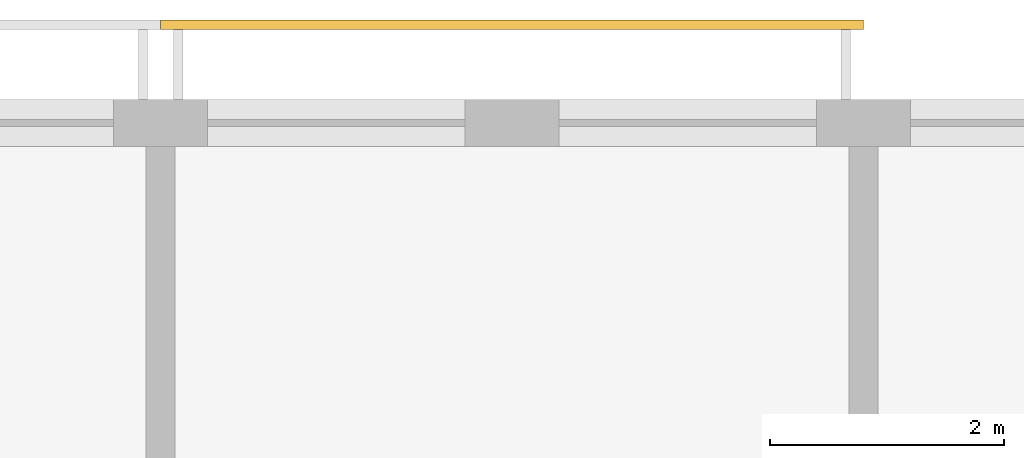
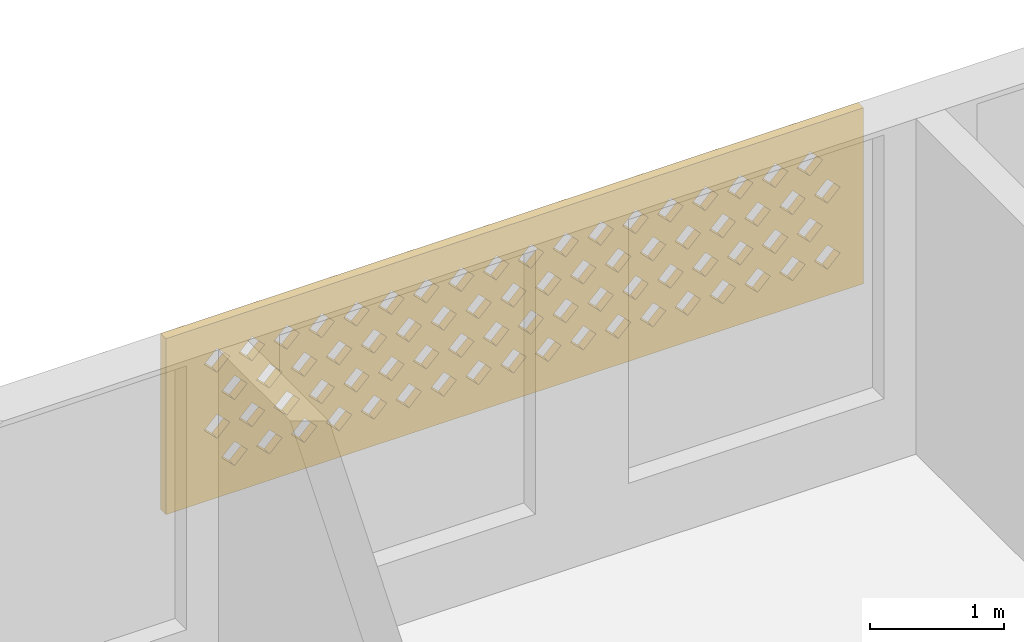
# One storey, part 18 of 18: 1 covering.
"""IFC4 building model written with IfcOpenShell, lengths in metres."""

from ifc_helpers import new_model, si_unit, direction, frame, origin, place, context, subcontext, project, spatial, polyline, outline, extrude, source, transform, mapped, material, material_profile, profile_set, type_object, element, save


model = new_model("IFC4")

# Units and contexts
model_context = context("Model", 3, precision=1e-05, world=origin(), true_north=direction((0.0, 1.0)))
body_context = subcontext(model_context, "Body", "Model", "MODEL_VIEW")
ifc_project = project(units=[si_unit("LENGTHUNIT", "METRE"), si_unit("AREAUNIT", "SQUARE_METRE"), si_unit("VOLUMEUNIT", "CUBIC_METRE"), si_unit("PLANEANGLEUNIT", "RADIAN"), si_unit("MASSUNIT", "GRAM", prefix="KILO")], contexts=[model_context])

# Site, building, storey
site_placement = place(None, origin())
site = spatial("IfcSite", under=ifc_project, at=site_placement, CompositionType="ELEMENT")
building_placement = place(site_placement, origin())
building = spatial("IfcBuilding", under=site, at=building_placement, Name="Poui Terraces", CompositionType="ELEMENT")
storey_placement = place(building_placement, frame((0.0, 0.0, 285.60009765625)))
storey = spatial("IfcBuildingStorey", under=building, at=storey_placement, Name="L79 CROWN", CompositionType="ELEMENT", Elevation=285.60009765625)

# Covering
ifc_material = material(Name="Terracotta screen", Category="masonry")
ifc_material_profile = material_profile(ifc_material, outline(polyline([(-3.0, -0.800048828125), (3.0, -0.800048828125), (3.0, 0.800048828125), (-3.0, 0.800048828125), (-3.0, -0.800048828125)]), holes=[polyline([(-2.800048828125, -0.449951171875), (-2.68994140625, -0.56005859375), (-2.580078125, -0.449951171875), (-2.68994140625, -0.340087890625), (-2.800048828125, -0.449951171875)]), polyline([(-2.5, -0.449951171875), (-2.389892578125, -0.56005859375), (-2.280029296875, -0.449951171875), (-2.389892578125, -0.340087890625), (-2.5, -0.449951171875)]), polyline([(-2.199951171875, -0.449951171875), (-2.090087890625, -0.56005859375), (-1.97998046875, -0.449951171875), (-2.090087890625, -0.340087890625), (-2.199951171875, -0.449951171875)]), polyline([(-1.89990234375, -0.449951171875), (-1.7900390625, -0.56005859375), (-1.679931640625, -0.449951171875), (-1.7900390625, -0.340087890625), (-1.89990234375, -0.449951171875)]), polyline([(-1.60009765625, -0.449951171875), (-1.489990234375, -0.56005859375), (-1.3798828125, -0.449951171875), (-1.489990234375, -0.340087890625), (-1.60009765625, -0.449951171875)]), polyline([(-1.300048828125, -0.449951171875), (-1.18994140625, -0.56005859375), (-1.080078125, -0.449951171875), (-1.18994140625, -0.340087890625), (-1.300048828125, -0.449951171875)]), polyline([(-1.0, -0.449951171875), (-0.889892578125, -0.56005859375), (-0.780029296875, -0.449951171875), (-0.889892578125, -0.340087890625), (-1.0, -0.449951171875)]), polyline([(-0.699951171875, -0.449951171875), (-0.590087890625, -0.56005859375), (-0.47998046875, -0.449951171875), (-0.590087890625, -0.340087890625), (-0.699951171875, -0.449951171875)]), polyline([(-0.39990234375, -0.449951171875), (-0.2900390625, -0.56005859375), (-0.179931640625, -0.449951171875), (-0.2900390625, -0.340087890625), (-0.39990234375, -0.449951171875)]), polyline([(-0.10009765625, -0.449951171875), (0.010009765625, -0.56005859375), (0.1201171875, -0.449951171875), (0.010009765625, -0.340087890625), (-0.10009765625, -0.449951171875)]), polyline([(0.199951171875, -0.449951171875), (0.31005859375, -0.56005859375), (0.419921875, -0.449951171875), (0.31005859375, -0.340087890625), (0.199951171875, -0.449951171875)]), polyline([(0.5, -0.449951171875), (0.610107421875, -0.56005859375), (0.719970703125, -0.449951171875), (0.610107421875, -0.340087890625), (0.5, -0.449951171875)]), polyline([(0.800048828125, -0.449951171875), (0.909912109375, -0.56005859375), (1.02001953125, -0.449951171875), (0.909912109375, -0.340087890625), (0.800048828125, -0.449951171875)]), polyline([(1.10009765625, -0.449951171875), (1.2099609375, -0.56005859375), (1.320068359375, -0.449951171875), (1.2099609375, -0.340087890625), (1.10009765625, -0.449951171875)]), polyline([(1.39990234375, -0.449951171875), (1.510009765625, -0.56005859375), (1.6201171875, -0.449951171875), (1.510009765625, -0.340087890625), (1.39990234375, -0.449951171875)]), polyline([(1.699951171875, -0.449951171875), (1.81005859375, -0.56005859375), (1.919921875, -0.449951171875), (1.81005859375, -0.340087890625), (1.699951171875, -0.449951171875)]), polyline([(2.0, -0.449951171875), (2.110107421875, -0.56005859375), (2.219970703125, -0.449951171875), (2.110107421875, -0.340087890625), (2.0, -0.449951171875)]), polyline([(2.300048828125, -0.449951171875), (2.409912109375, -0.56005859375), (2.52001953125, -0.449951171875), (2.409912109375, -0.340087890625), (2.300048828125, -0.449951171875)]), polyline([(-2.64990234375, -0.14990234375), (-2.5400390625, -0.260009765625), (-2.429931640625, -0.14990234375), (-2.5400390625, -0.0400390625), (-2.64990234375, -0.14990234375)]), polyline([(-2.35009765625, -0.14990234375), (-2.239990234375, -0.260009765625), (-2.1298828125, -0.14990234375), (-2.239990234375, -0.0400390625), (-2.35009765625, -0.14990234375)]), polyline([(-2.050048828125, -0.14990234375), (-1.93994140625, -0.260009765625), (-1.830078125, -0.14990234375), (-1.93994140625, -0.0400390625), (-2.050048828125, -0.14990234375)]), polyline([(-1.75, -0.14990234375), (-1.639892578125, -0.260009765625), (-1.530029296875, -0.14990234375), (-1.639892578125, -0.0400390625), (-1.75, -0.14990234375)]), polyline([(-1.449951171875, -0.14990234375), (-1.340087890625, -0.260009765625), (-1.22998046875, -0.14990234375), (-1.340087890625, -0.0400390625), (-1.449951171875, -0.14990234375)]), polyline([(-1.14990234375, -0.14990234375), (-1.0400390625, -0.260009765625), (-0.929931640625, -0.14990234375), (-1.0400390625, -0.0400390625), (-1.14990234375, -0.14990234375)]), polyline([(-0.85009765625, -0.14990234375), (-0.739990234375, -0.260009765625), (-0.6298828125, -0.14990234375), (-0.739990234375, -0.0400390625), (-0.85009765625, -0.14990234375)]), polyline([(-0.550048828125, -0.14990234375), (-0.43994140625, -0.260009765625), (-0.330078125, -0.14990234375), (-0.43994140625, -0.0400390625), (-0.550048828125, -0.14990234375)]), polyline([(-0.25, -0.14990234375), (-0.139892578125, -0.260009765625), (-0.030029296875, -0.14990234375), (-0.139892578125, -0.0400390625), (-0.25, -0.14990234375)]), polyline([(0.050048828125, -0.14990234375), (0.159912109375, -0.260009765625), (0.27001953125, -0.14990234375), (0.159912109375, -0.0400390625), (0.050048828125, -0.14990234375)]), polyline([(0.35009765625, -0.14990234375), (0.4599609375, -0.260009765625), (0.570068359375, -0.14990234375), (0.4599609375, -0.0400390625), (0.35009765625, -0.14990234375)]), polyline([(0.64990234375, -0.14990234375), (0.760009765625, -0.260009765625), (0.8701171875, -0.14990234375), (0.760009765625, -0.0400390625), (0.64990234375, -0.14990234375)]), polyline([(0.949951171875, -0.14990234375), (1.06005859375, -0.260009765625), (1.169921875, -0.14990234375), (1.06005859375, -0.0400390625), (0.949951171875, -0.14990234375)]), polyline([(1.25, -0.14990234375), (1.360107421875, -0.260009765625), (1.469970703125, -0.14990234375), (1.360107421875, -0.0400390625), (1.25, -0.14990234375)]), polyline([(1.550048828125, -0.14990234375), (1.659912109375, -0.260009765625), (1.77001953125, -0.14990234375), (1.659912109375, -0.0400390625), (1.550048828125, -0.14990234375)]), polyline([(1.85009765625, -0.14990234375), (1.9599609375, -0.260009765625), (2.070068359375, -0.14990234375), (1.9599609375, -0.0400390625), (1.85009765625, -0.14990234375)]), polyline([(2.14990234375, -0.14990234375), (2.260009765625, -0.260009765625), (2.3701171875, -0.14990234375), (2.260009765625, -0.0400390625), (2.14990234375, -0.14990234375)]), polyline([(2.449951171875, -0.14990234375), (2.56005859375, -0.260009765625), (2.669921875, -0.14990234375), (2.56005859375, -0.0400390625), (2.449951171875, -0.14990234375)]), polyline([(-2.800048828125, 0.14990234375), (-2.68994140625, 0.0400390625), (-2.580078125, 0.14990234375), (-2.68994140625, 0.260009765625), (-2.800048828125, 0.14990234375)]), polyline([(-2.5, 0.14990234375), (-2.389892578125, 0.0400390625), (-2.280029296875, 0.14990234375), (-2.389892578125, 0.260009765625), (-2.5, 0.14990234375)]), polyline([(-2.199951171875, 0.14990234375), (-2.090087890625, 0.0400390625), (-1.97998046875, 0.14990234375), (-2.090087890625, 0.260009765625), (-2.199951171875, 0.14990234375)]), polyline([(-1.89990234375, 0.14990234375), (-1.7900390625, 0.0400390625), (-1.679931640625, 0.14990234375), (-1.7900390625, 0.260009765625), (-1.89990234375, 0.14990234375)]), polyline([(-1.60009765625, 0.14990234375), (-1.489990234375, 0.0400390625), (-1.3798828125, 0.14990234375), (-1.489990234375, 0.260009765625), (-1.60009765625, 0.14990234375)]), polyline([(-1.300048828125, 0.14990234375), (-1.18994140625, 0.0400390625), (-1.080078125, 0.14990234375), (-1.18994140625, 0.260009765625), (-1.300048828125, 0.14990234375)]), polyline([(-1.0, 0.14990234375), (-0.889892578125, 0.0400390625), (-0.780029296875, 0.14990234375), (-0.889892578125, 0.260009765625), (-1.0, 0.14990234375)]), polyline([(-0.699951171875, 0.14990234375), (-0.590087890625, 0.0400390625), (-0.47998046875, 0.14990234375), (-0.590087890625, 0.260009765625), (-0.699951171875, 0.14990234375)]), polyline([(-0.39990234375, 0.14990234375), (-0.2900390625, 0.0400390625), (-0.179931640625, 0.14990234375), (-0.2900390625, 0.260009765625), (-0.39990234375, 0.14990234375)]), polyline([(-0.10009765625, 0.14990234375), (0.010009765625, 0.0400390625), (0.1201171875, 0.14990234375), (0.010009765625, 0.260009765625), (-0.10009765625, 0.14990234375)]), polyline([(0.199951171875, 0.14990234375), (0.31005859375, 0.0400390625), (0.419921875, 0.14990234375), (0.31005859375, 0.260009765625), (0.199951171875, 0.14990234375)]), polyline([(0.5, 0.14990234375), (0.610107421875, 0.0400390625), (0.719970703125, 0.14990234375), (0.610107421875, 0.260009765625), (0.5, 0.14990234375)]), polyline([(0.800048828125, 0.14990234375), (0.909912109375, 0.0400390625), (1.02001953125, 0.14990234375), (0.909912109375, 0.260009765625), (0.800048828125, 0.14990234375)]), polyline([(1.10009765625, 0.14990234375), (1.2099609375, 0.0400390625), (1.320068359375, 0.14990234375), (1.2099609375, 0.260009765625), (1.10009765625, 0.14990234375)]), polyline([(1.39990234375, 0.14990234375), (1.510009765625, 0.0400390625), (1.6201171875, 0.14990234375), (1.510009765625, 0.260009765625), (1.39990234375, 0.14990234375)]), polyline([(1.699951171875, 0.14990234375), (1.81005859375, 0.0400390625), (1.919921875, 0.14990234375), (1.81005859375, 0.260009765625), (1.699951171875, 0.14990234375)]), polyline([(2.0, 0.14990234375), (2.110107421875, 0.0400390625), (2.219970703125, 0.14990234375), (2.110107421875, 0.260009765625), (2.0, 0.14990234375)]), polyline([(2.300048828125, 0.14990234375), (2.409912109375, 0.0400390625), (2.52001953125, 0.14990234375), (2.409912109375, 0.260009765625), (2.300048828125, 0.14990234375)]), polyline([(-2.64990234375, 0.449951171875), (-2.5400390625, 0.340087890625), (-2.429931640625, 0.449951171875), (-2.5400390625, 0.56005859375), (-2.64990234375, 0.449951171875)]), polyline([(-2.35009765625, 0.449951171875), (-2.239990234375, 0.340087890625), (-2.1298828125, 0.449951171875), (-2.239990234375, 0.56005859375), (-2.35009765625, 0.449951171875)]), polyline([(-2.050048828125, 0.449951171875), (-1.93994140625, 0.340087890625), (-1.830078125, 0.449951171875), (-1.93994140625, 0.56005859375), (-2.050048828125, 0.449951171875)]), polyline([(-1.75, 0.449951171875), (-1.639892578125, 0.340087890625), (-1.530029296875, 0.449951171875), (-1.639892578125, 0.56005859375), (-1.75, 0.449951171875)]), polyline([(-1.449951171875, 0.449951171875), (-1.340087890625, 0.340087890625), (-1.22998046875, 0.449951171875), (-1.340087890625, 0.56005859375), (-1.449951171875, 0.449951171875)]), polyline([(-1.14990234375, 0.449951171875), (-1.0400390625, 0.340087890625), (-0.929931640625, 0.449951171875), (-1.0400390625, 0.56005859375), (-1.14990234375, 0.449951171875)]), polyline([(-0.85009765625, 0.449951171875), (-0.739990234375, 0.340087890625), (-0.6298828125, 0.449951171875), (-0.739990234375, 0.56005859375), (-0.85009765625, 0.449951171875)]), polyline([(-0.550048828125, 0.449951171875), (-0.43994140625, 0.340087890625), (-0.330078125, 0.449951171875), (-0.43994140625, 0.56005859375), (-0.550048828125, 0.449951171875)]), polyline([(-0.25, 0.449951171875), (-0.139892578125, 0.340087890625), (-0.030029296875, 0.449951171875), (-0.139892578125, 0.56005859375), (-0.25, 0.449951171875)]), polyline([(0.050048828125, 0.449951171875), (0.159912109375, 0.340087890625), (0.27001953125, 0.449951171875), (0.159912109375, 0.56005859375), (0.050048828125, 0.449951171875)]), polyline([(0.35009765625, 0.449951171875), (0.4599609375, 0.340087890625), (0.570068359375, 0.449951171875), (0.4599609375, 0.56005859375), (0.35009765625, 0.449951171875)]), polyline([(0.64990234375, 0.449951171875), (0.760009765625, 0.340087890625), (0.8701171875, 0.449951171875), (0.760009765625, 0.56005859375), (0.64990234375, 0.449951171875)]), polyline([(0.949951171875, 0.449951171875), (1.06005859375, 0.340087890625), (1.169921875, 0.449951171875), (1.06005859375, 0.56005859375), (0.949951171875, 0.449951171875)]), polyline([(1.25, 0.449951171875), (1.360107421875, 0.340087890625), (1.469970703125, 0.449951171875), (1.360107421875, 0.56005859375), (1.25, 0.449951171875)]), polyline([(1.550048828125, 0.449951171875), (1.659912109375, 0.340087890625), (1.77001953125, 0.449951171875), (1.659912109375, 0.56005859375), (1.550048828125, 0.449951171875)]), polyline([(1.85009765625, 0.449951171875), (1.9599609375, 0.340087890625), (2.070068359375, 0.449951171875), (1.9599609375, 0.56005859375), (1.85009765625, 0.449951171875)]), polyline([(2.14990234375, 0.449951171875), (2.260009765625, 0.340087890625), (2.3701171875, 0.449951171875), (2.260009765625, 0.56005859375), (2.14990234375, 0.449951171875)]), polyline([(2.449951171875, 0.449951171875), (2.56005859375, 0.340087890625), (2.669921875, 0.449951171875), (2.56005859375, 0.56005859375), (2.449951171875, 0.449951171875)])]), Name="TERRACOTTA SOLAR SCREEN 6000X1600")
ifc_profile_set = profile_set([ifc_material_profile], Name="Terracotta screen")
covering_type = type_object("IfcCoveringType", Name="TERRACOTTA SOLAR SCREEN 6000X1600", PredefinedType="CLADDING", material=ifc_profile_set)
shared_shape = source(origin(), body_context, "Body", "SweptSolid", [
    extrude(outline(polyline([(-3.0, -0.800048828125), (3.0, -0.800048828125), (3.0, 0.800048828125), (-3.0, 0.800048828125), (-3.0, -0.800048828125)]), holes=[polyline([(-2.800048828125, -0.449951171875), (-2.68994140625, -0.56005859375), (-2.580078125, -0.449951171875), (-2.68994140625, -0.340087890625), (-2.800048828125, -0.449951171875)]), polyline([(-2.5, -0.449951171875), (-2.389892578125, -0.56005859375), (-2.280029296875, -0.449951171875), (-2.389892578125, -0.340087890625), (-2.5, -0.449951171875)]), polyline([(-2.199951171875, -0.449951171875), (-2.090087890625, -0.56005859375), (-1.97998046875, -0.449951171875), (-2.090087890625, -0.340087890625), (-2.199951171875, -0.449951171875)]), polyline([(-1.89990234375, -0.449951171875), (-1.7900390625, -0.56005859375), (-1.679931640625, -0.449951171875), (-1.7900390625, -0.340087890625), (-1.89990234375, -0.449951171875)]), polyline([(-1.60009765625, -0.449951171875), (-1.489990234375, -0.56005859375), (-1.3798828125, -0.449951171875), (-1.489990234375, -0.340087890625), (-1.60009765625, -0.449951171875)]), polyline([(-1.300048828125, -0.449951171875), (-1.18994140625, -0.56005859375), (-1.080078125, -0.449951171875), (-1.18994140625, -0.340087890625), (-1.300048828125, -0.449951171875)]), polyline([(-1.0, -0.449951171875), (-0.889892578125, -0.56005859375), (-0.780029296875, -0.449951171875), (-0.889892578125, -0.340087890625), (-1.0, -0.449951171875)]), polyline([(-0.699951171875, -0.449951171875), (-0.590087890625, -0.56005859375), (-0.47998046875, -0.449951171875), (-0.590087890625, -0.340087890625), (-0.699951171875, -0.449951171875)]), polyline([(-0.39990234375, -0.449951171875), (-0.2900390625, -0.56005859375), (-0.179931640625, -0.449951171875), (-0.2900390625, -0.340087890625), (-0.39990234375, -0.449951171875)]), polyline([(-0.10009765625, -0.449951171875), (0.010009765625, -0.56005859375), (0.1201171875, -0.449951171875), (0.010009765625, -0.340087890625), (-0.10009765625, -0.449951171875)]), polyline([(0.199951171875, -0.449951171875), (0.31005859375, -0.56005859375), (0.419921875, -0.449951171875), (0.31005859375, -0.340087890625), (0.199951171875, -0.449951171875)]), polyline([(0.5, -0.449951171875), (0.610107421875, -0.56005859375), (0.719970703125, -0.449951171875), (0.610107421875, -0.340087890625), (0.5, -0.449951171875)]), polyline([(0.800048828125, -0.449951171875), (0.909912109375, -0.56005859375), (1.02001953125, -0.449951171875), (0.909912109375, -0.340087890625), (0.800048828125, -0.449951171875)]), polyline([(1.10009765625, -0.449951171875), (1.2099609375, -0.56005859375), (1.320068359375, -0.449951171875), (1.2099609375, -0.340087890625), (1.10009765625, -0.449951171875)]), polyline([(1.39990234375, -0.449951171875), (1.510009765625, -0.56005859375), (1.6201171875, -0.449951171875), (1.510009765625, -0.340087890625), (1.39990234375, -0.449951171875)]), polyline([(1.699951171875, -0.449951171875), (1.81005859375, -0.56005859375), (1.919921875, -0.449951171875), (1.81005859375, -0.340087890625), (1.699951171875, -0.449951171875)]), polyline([(2.0, -0.449951171875), (2.110107421875, -0.56005859375), (2.219970703125, -0.449951171875), (2.110107421875, -0.340087890625), (2.0, -0.449951171875)]), polyline([(2.300048828125, -0.449951171875), (2.409912109375, -0.56005859375), (2.52001953125, -0.449951171875), (2.409912109375, -0.340087890625), (2.300048828125, -0.449951171875)]), polyline([(-2.64990234375, -0.14990234375), (-2.5400390625, -0.260009765625), (-2.429931640625, -0.14990234375), (-2.5400390625, -0.0400390625), (-2.64990234375, -0.14990234375)]), polyline([(-2.35009765625, -0.14990234375), (-2.239990234375, -0.260009765625), (-2.1298828125, -0.14990234375), (-2.239990234375, -0.0400390625), (-2.35009765625, -0.14990234375)]), polyline([(-2.050048828125, -0.14990234375), (-1.93994140625, -0.260009765625), (-1.830078125, -0.14990234375), (-1.93994140625, -0.0400390625), (-2.050048828125, -0.14990234375)]), polyline([(-1.75, -0.14990234375), (-1.639892578125, -0.260009765625), (-1.530029296875, -0.14990234375), (-1.639892578125, -0.0400390625), (-1.75, -0.14990234375)]), polyline([(-1.449951171875, -0.14990234375), (-1.340087890625, -0.260009765625), (-1.22998046875, -0.14990234375), (-1.340087890625, -0.0400390625), (-1.449951171875, -0.14990234375)]), polyline([(-1.14990234375, -0.14990234375), (-1.0400390625, -0.260009765625), (-0.929931640625, -0.14990234375), (-1.0400390625, -0.0400390625), (-1.14990234375, -0.14990234375)]), polyline([(-0.85009765625, -0.14990234375), (-0.739990234375, -0.260009765625), (-0.6298828125, -0.14990234375), (-0.739990234375, -0.0400390625), (-0.85009765625, -0.14990234375)]), polyline([(-0.550048828125, -0.14990234375), (-0.43994140625, -0.260009765625), (-0.330078125, -0.14990234375), (-0.43994140625, -0.0400390625), (-0.550048828125, -0.14990234375)]), polyline([(-0.25, -0.14990234375), (-0.139892578125, -0.260009765625), (-0.030029296875, -0.14990234375), (-0.139892578125, -0.0400390625), (-0.25, -0.14990234375)]), polyline([(0.050048828125, -0.14990234375), (0.159912109375, -0.260009765625), (0.27001953125, -0.14990234375), (0.159912109375, -0.0400390625), (0.050048828125, -0.14990234375)]), polyline([(0.35009765625, -0.14990234375), (0.4599609375, -0.260009765625), (0.570068359375, -0.14990234375), (0.4599609375, -0.0400390625), (0.35009765625, -0.14990234375)]), polyline([(0.64990234375, -0.14990234375), (0.760009765625, -0.260009765625), (0.8701171875, -0.14990234375), (0.760009765625, -0.0400390625), (0.64990234375, -0.14990234375)]), polyline([(0.949951171875, -0.14990234375), (1.06005859375, -0.260009765625), (1.169921875, -0.14990234375), (1.06005859375, -0.0400390625), (0.949951171875, -0.14990234375)]), polyline([(1.25, -0.14990234375), (1.360107421875, -0.260009765625), (1.469970703125, -0.14990234375), (1.360107421875, -0.0400390625), (1.25, -0.14990234375)]), polyline([(1.550048828125, -0.14990234375), (1.659912109375, -0.260009765625), (1.77001953125, -0.14990234375), (1.659912109375, -0.0400390625), (1.550048828125, -0.14990234375)]), polyline([(1.85009765625, -0.14990234375), (1.9599609375, -0.260009765625), (2.070068359375, -0.14990234375), (1.9599609375, -0.0400390625), (1.85009765625, -0.14990234375)]), polyline([(2.14990234375, -0.14990234375), (2.260009765625, -0.260009765625), (2.3701171875, -0.14990234375), (2.260009765625, -0.0400390625), (2.14990234375, -0.14990234375)]), polyline([(2.449951171875, -0.14990234375), (2.56005859375, -0.260009765625), (2.669921875, -0.14990234375), (2.56005859375, -0.0400390625), (2.449951171875, -0.14990234375)]), polyline([(-2.800048828125, 0.14990234375), (-2.68994140625, 0.0400390625), (-2.580078125, 0.14990234375), (-2.68994140625, 0.260009765625), (-2.800048828125, 0.14990234375)]), polyline([(-2.5, 0.14990234375), (-2.389892578125, 0.0400390625), (-2.280029296875, 0.14990234375), (-2.389892578125, 0.260009765625), (-2.5, 0.14990234375)]), polyline([(-2.199951171875, 0.14990234375), (-2.090087890625, 0.0400390625), (-1.97998046875, 0.14990234375), (-2.090087890625, 0.260009765625), (-2.199951171875, 0.14990234375)]), polyline([(-1.89990234375, 0.14990234375), (-1.7900390625, 0.0400390625), (-1.679931640625, 0.14990234375), (-1.7900390625, 0.260009765625), (-1.89990234375, 0.14990234375)]), polyline([(-1.60009765625, 0.14990234375), (-1.489990234375, 0.0400390625), (-1.3798828125, 0.14990234375), (-1.489990234375, 0.260009765625), (-1.60009765625, 0.14990234375)]), polyline([(-1.300048828125, 0.14990234375), (-1.18994140625, 0.0400390625), (-1.080078125, 0.14990234375), (-1.18994140625, 0.260009765625), (-1.300048828125, 0.14990234375)]), polyline([(-1.0, 0.14990234375), (-0.889892578125, 0.0400390625), (-0.780029296875, 0.14990234375), (-0.889892578125, 0.260009765625), (-1.0, 0.14990234375)]), polyline([(-0.699951171875, 0.14990234375), (-0.590087890625, 0.0400390625), (-0.47998046875, 0.14990234375), (-0.590087890625, 0.260009765625), (-0.699951171875, 0.14990234375)]), polyline([(-0.39990234375, 0.14990234375), (-0.2900390625, 0.0400390625), (-0.179931640625, 0.14990234375), (-0.2900390625, 0.260009765625), (-0.39990234375, 0.14990234375)]), polyline([(-0.10009765625, 0.14990234375), (0.010009765625, 0.0400390625), (0.1201171875, 0.14990234375), (0.010009765625, 0.260009765625), (-0.10009765625, 0.14990234375)]), polyline([(0.199951171875, 0.14990234375), (0.31005859375, 0.0400390625), (0.419921875, 0.14990234375), (0.31005859375, 0.260009765625), (0.199951171875, 0.14990234375)]), polyline([(0.5, 0.14990234375), (0.610107421875, 0.0400390625), (0.719970703125, 0.14990234375), (0.610107421875, 0.260009765625), (0.5, 0.14990234375)]), polyline([(0.800048828125, 0.14990234375), (0.909912109375, 0.0400390625), (1.02001953125, 0.14990234375), (0.909912109375, 0.260009765625), (0.800048828125, 0.14990234375)]), polyline([(1.10009765625, 0.14990234375), (1.2099609375, 0.0400390625), (1.320068359375, 0.14990234375), (1.2099609375, 0.260009765625), (1.10009765625, 0.14990234375)]), polyline([(1.39990234375, 0.14990234375), (1.510009765625, 0.0400390625), (1.6201171875, 0.14990234375), (1.510009765625, 0.260009765625), (1.39990234375, 0.14990234375)]), polyline([(1.699951171875, 0.14990234375), (1.81005859375, 0.0400390625), (1.919921875, 0.14990234375), (1.81005859375, 0.260009765625), (1.699951171875, 0.14990234375)]), polyline([(2.0, 0.14990234375), (2.110107421875, 0.0400390625), (2.219970703125, 0.14990234375), (2.110107421875, 0.260009765625), (2.0, 0.14990234375)]), polyline([(2.300048828125, 0.14990234375), (2.409912109375, 0.0400390625), (2.52001953125, 0.14990234375), (2.409912109375, 0.260009765625), (2.300048828125, 0.14990234375)]), polyline([(-2.64990234375, 0.449951171875), (-2.5400390625, 0.340087890625), (-2.429931640625, 0.449951171875), (-2.5400390625, 0.56005859375), (-2.64990234375, 0.449951171875)]), polyline([(-2.35009765625, 0.449951171875), (-2.239990234375, 0.340087890625), (-2.1298828125, 0.449951171875), (-2.239990234375, 0.56005859375), (-2.35009765625, 0.449951171875)]), polyline([(-2.050048828125, 0.449951171875), (-1.93994140625, 0.340087890625), (-1.830078125, 0.449951171875), (-1.93994140625, 0.56005859375), (-2.050048828125, 0.449951171875)]), polyline([(-1.75, 0.449951171875), (-1.639892578125, 0.340087890625), (-1.530029296875, 0.449951171875), (-1.639892578125, 0.56005859375), (-1.75, 0.449951171875)]), polyline([(-1.449951171875, 0.449951171875), (-1.340087890625, 0.340087890625), (-1.22998046875, 0.449951171875), (-1.340087890625, 0.56005859375), (-1.449951171875, 0.449951171875)]), polyline([(-1.14990234375, 0.449951171875), (-1.0400390625, 0.340087890625), (-0.929931640625, 0.449951171875), (-1.0400390625, 0.56005859375), (-1.14990234375, 0.449951171875)]), polyline([(-0.85009765625, 0.449951171875), (-0.739990234375, 0.340087890625), (-0.6298828125, 0.449951171875), (-0.739990234375, 0.56005859375), (-0.85009765625, 0.449951171875)]), polyline([(-0.550048828125, 0.449951171875), (-0.43994140625, 0.340087890625), (-0.330078125, 0.449951171875), (-0.43994140625, 0.56005859375), (-0.550048828125, 0.449951171875)]), polyline([(-0.25, 0.449951171875), (-0.139892578125, 0.340087890625), (-0.030029296875, 0.449951171875), (-0.139892578125, 0.56005859375), (-0.25, 0.449951171875)]), polyline([(0.050048828125, 0.449951171875), (0.159912109375, 0.340087890625), (0.27001953125, 0.449951171875), (0.159912109375, 0.56005859375), (0.050048828125, 0.449951171875)]), polyline([(0.35009765625, 0.449951171875), (0.4599609375, 0.340087890625), (0.570068359375, 0.449951171875), (0.4599609375, 0.56005859375), (0.35009765625, 0.449951171875)]), polyline([(0.64990234375, 0.449951171875), (0.760009765625, 0.340087890625), (0.8701171875, 0.449951171875), (0.760009765625, 0.56005859375), (0.64990234375, 0.449951171875)]), polyline([(0.949951171875, 0.449951171875), (1.06005859375, 0.340087890625), (1.169921875, 0.449951171875), (1.06005859375, 0.56005859375), (0.949951171875, 0.449951171875)]), polyline([(1.25, 0.449951171875), (1.360107421875, 0.340087890625), (1.469970703125, 0.449951171875), (1.360107421875, 0.56005859375), (1.25, 0.449951171875)]), polyline([(1.550048828125, 0.449951171875), (1.659912109375, 0.340087890625), (1.77001953125, 0.449951171875), (1.659912109375, 0.56005859375), (1.550048828125, 0.449951171875)]), polyline([(1.85009765625, 0.449951171875), (1.9599609375, 0.340087890625), (2.070068359375, 0.449951171875), (1.9599609375, 0.56005859375), (1.85009765625, 0.449951171875)]), polyline([(2.14990234375, 0.449951171875), (2.260009765625, 0.340087890625), (2.3701171875, 0.449951171875), (2.260009765625, 0.56005859375), (2.14990234375, 0.449951171875)]), polyline([(2.449951171875, 0.449951171875), (2.56005859375, 0.340087890625), (2.669921875, 0.449951171875), (2.56005859375, 0.56005859375), (2.449951171875, 0.449951171875)])]), origin(), (0.0, 0.0, 1.0), 0.080078125),
])
covering_placement = place(storey_placement, frame((39.0, 42.0, 1.699951171875), z_axis=(0.0, 1.0, 0.0), x_axis=(-1.0, 0.0, 0.0)))
element("IfcCovering", 1, at=covering_placement, inside=storey, type_object=covering_type, Name="SOLAR SCREEN", PredefinedType="CLADDING", context=body_context, shape_type="MappedRepresentation", body=[
    mapped(shared_shape, transform((0.0, 0.0, 0.0))),
])

save(model, "model.ifc")
